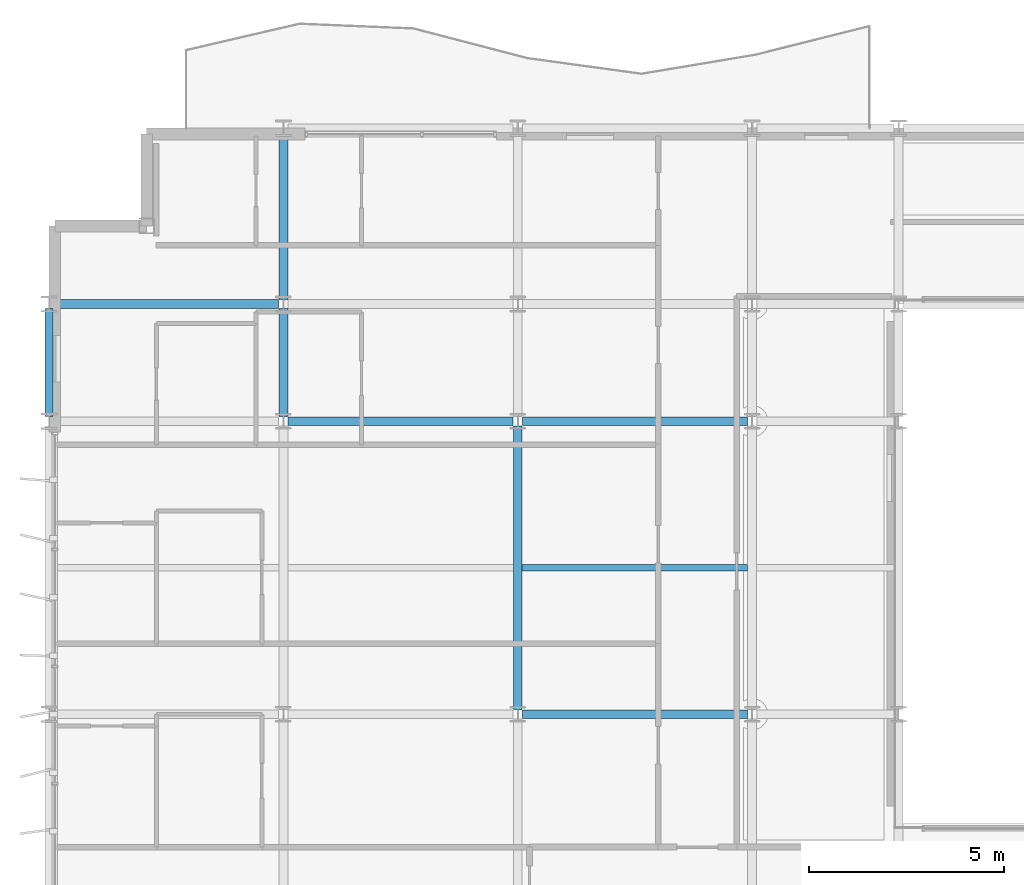
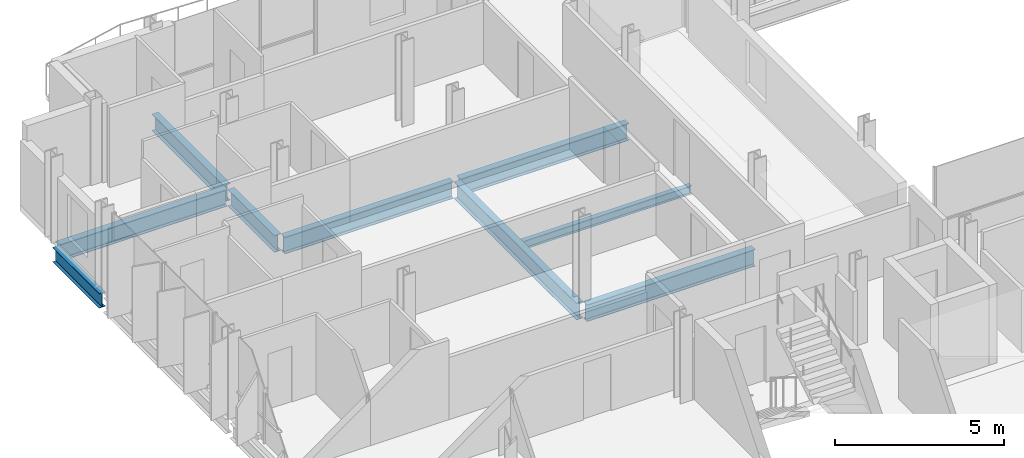
# One storey, part 8 of 40: 9 beams.
"""IFC4 building model written with IfcOpenShell, lengths in metres."""

from ifc_helpers import new_model, si_unit, direction, frame, origin, origin_2d, place, context, subcontext, project, spatial, i_section, extrude, material, material_profile, profile_set, type_object, element, save


model = new_model("IFC4")

# Units and contexts
model_context = context("Model", 3, precision=1e-05, world=origin(), true_north=direction((0.0, 1.0)))
body_context = subcontext(model_context, "Body", "Model", "MODEL_VIEW")
ifc_project = project(units=[si_unit("LENGTHUNIT", "METRE"), si_unit("AREAUNIT", "SQUARE_METRE"), si_unit("VOLUMEUNIT", "CUBIC_METRE"), si_unit("PLANEANGLEUNIT", "RADIAN"), si_unit("MASSUNIT", "GRAM", prefix="KILO")], contexts=[model_context])

# Site, building, storey
site_placement = place(None, origin())
site = spatial("IfcSite", under=ifc_project, at=site_placement, CompositionType="ELEMENT")
building_placement = place(site_placement, origin())
building = spatial("IfcBuilding", under=site, at=building_placement, Name="Brevholm Reach", CompositionType="ELEMENT")
storey_placement = place(building_placement, frame((0.0, 0.0, 148.0)))
storey = spatial("IfcBuildingStorey", under=building, at=storey_placement, Name="L44", CompositionType="ELEMENT", Elevation=148.0)

# Beams
ifc_material_1 = material(Name="Structural Steel S355J2", Category="steel")
ifc_material_profile_1 = material_profile(ifc_material_1, i_section(OverallWidth=0.1650390625, OverallDepth=0.303466796875, WebThickness=0.006103515625, FlangeThickness=0.01025390625, FilletRadius=0.0087890625, at=origin_2d()), Name="UKB 305x165x40")
ifc_profile_set_1 = profile_set([ifc_material_profile_1], Name="Structural Steel S355J2")
beam_type_1 = type_object("IfcBeamType", Name="BM-B305", PredefinedType="BEAM", material=ifc_profile_set_1)
beam_1_placement = place(storey_placement, frame((12.114501953125, 19.75, -0.37158203125), z_axis=(1.0, 0.0, 0.0), x_axis=(0.0, 1.0, 0.0)))
element("IfcBeam", 1, at=beam_1_placement, inside=storey, type_object=beam_type_1, Name="L44 Composite Secondary Floor Beam", PredefinedType="BEAM", context=body_context, shape_type="SweptSolid", body=[
    extrude(i_section(OverallWidth=0.1650390625, OverallDepth=0.303466796875, WebThickness=0.006103515625, FlangeThickness=0.01025390625, FilletRadius=0.0087890625, at=origin_2d()), origin(), (0.0, 0.0, 1.0), 5.77099609375),
])
ifc_material_2 = material(Name="Structural Steel S355J2", Category="steel")
ifc_material_profile_2 = material_profile(ifc_material_2, i_section(OverallWidth=0.209228515625, OverallDepth=0.533203125, WebThickness=0.010009765625, FlangeThickness=0.015625, FilletRadius=0.0126953125, at=origin_2d()), Name="UKB 533x210x92")
ifc_profile_set_2 = profile_set([ifc_material_profile_2], Name="Structural Steel S355J2")
beam_type_2 = type_object("IfcBeamType", Name="BM-SP533", PredefinedType="SPANDREL", material=ifc_profile_set_2)
beam_2_placement = place(storey_placement, frame((0.0, 23.6201171875, -0.486572265625), z_axis=(0.0, 1.0, 0.0), x_axis=(-1.0, 0.0, 0.0)))
element("IfcBeam", 2, at=beam_2_placement, inside=storey, type_object=beam_type_2, Name="L44 SP-02 Framing Beam", PredefinedType="SPANDREL", context=body_context, shape_type="SweptSolid", body=[
    extrude(i_section(OverallWidth=0.209228515625, OverallDepth=0.533203125, WebThickness=0.010009765625, FlangeThickness=0.015625, FilletRadius=0.0126953125, at=origin_2d()), origin(), (0.0, 0.0, 1.0), 2.759765625),
])
ifc_material_3 = material(Name="Structural Steel S355J2", Category="steel")
ifc_material_profile_3 = material_profile(ifc_material_3, i_section(OverallWidth=0.22900390625, OverallDepth=0.6123046875, WebThickness=0.011962890625, FlangeThickness=0.01953125, FilletRadius=0.0126953125, at=origin_2d()), Name="UKB 610x229x125")
ifc_profile_set_3 = profile_set([ifc_material_profile_3], Name="Structural Steel S355J2")
beam_type_3 = type_object("IfcBeamType", Name="BM-SP610", PredefinedType="SPANDREL", material=ifc_profile_set_3)
for number, where, z_axis, x_axis, name in (
    (3, (12.1201171875, 16.0, -0.526123046875), (1.0, 0.0, 0.0), (0.0, 1.0, 0.0), "L44 SP-01 Framing Beam"),
    (4, (6.1201171875, 23.5, -0.526123046875), (1.0, 0.0, 0.0), (0.0, 1.0, 0.0), "L44 SP-01 Framing Beam"),
    (5, (12.1201171875, 23.5, -0.526123046875), (1.0, 0.0, 0.0), (0.0, 1.0, 0.0), "L44 SP-01 Framing Beam"),
    (6, (0.1201171875, 26.5, -0.526123046875), (1.0, 0.0, 0.0), (0.0, 1.0, 0.0), "L44 SP-01 Framing Beam"),
):
    element("IfcBeam", number, at=place(storey_placement, frame(where, z_axis=z_axis, x_axis=x_axis)), inside=storey, type_object=beam_type_3, Name=name, PredefinedType="SPANDREL", context=body_context, shape_type="SweptSolid", body=[
        extrude(i_section(OverallWidth=0.22900390625, OverallDepth=0.6123046875, WebThickness=0.011962890625, FlangeThickness=0.01953125, FilletRadius=0.0126953125, at=origin_2d()), origin(), (0.0, 0.0, 1.0), 5.759765625),
    ])
beam_3_placement = place(storey_placement, frame((6.0, 23.6201171875, -0.526123046875), z_axis=(0.0, 1.0, 0.0), x_axis=(-1.0, 0.0, 0.0)))
element("IfcBeam", 7, at=beam_3_placement, inside=storey, type_object=beam_type_3, Name="L44 SP-01 Framing Beam", PredefinedType="SPANDREL", context=body_context, shape_type="SweptSolid", body=[
    extrude(i_section(OverallWidth=0.22900390625, OverallDepth=0.6123046875, WebThickness=0.011962890625, FlangeThickness=0.01953125, FilletRadius=0.0126953125, at=origin_2d()), origin(), (0.0, 0.0, 1.0), 2.759765625),
])
beam_4_placement = place(storey_placement, frame((6.0, 26.6201171875, -0.526123046875), z_axis=(0.0, 1.0, 0.0), x_axis=(-1.0, 0.0, 0.0)))
element("IfcBeam", 8, at=beam_4_placement, inside=storey, type_object=beam_type_3, Name="L44 SP-01 Framing Beam", PredefinedType="SPANDREL", context=body_context, shape_type="SweptSolid", body=[
    extrude(i_section(OverallWidth=0.22900390625, OverallDepth=0.6123046875, WebThickness=0.011962890625, FlangeThickness=0.01953125, FilletRadius=0.0126953125, at=origin_2d()), origin(), (0.0, 0.0, 1.0), 4.259765625),
])
beam_5_placement = place(storey_placement, frame((12.0, 16.1201171875, -0.526123046875), z_axis=(0.0, 1.0, 0.0), x_axis=(-1.0, 0.0, 0.0)))
element("IfcBeam", 9, at=beam_5_placement, inside=storey, type_object=beam_type_3, Name="L44 SP-01 Framing Beam", PredefinedType="SPANDREL", context=body_context, shape_type="SweptSolid", body=[
    extrude(i_section(OverallWidth=0.22900390625, OverallDepth=0.6123046875, WebThickness=0.011962890625, FlangeThickness=0.01953125, FilletRadius=0.0126953125, at=origin_2d()), origin(), (0.0, 0.0, 1.0), 7.259765625),
])

save(model, "model.ifc")
